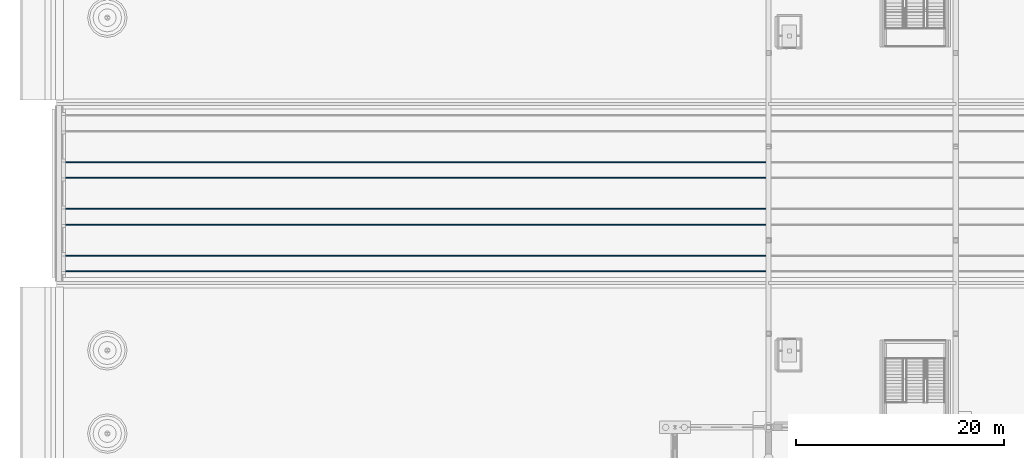
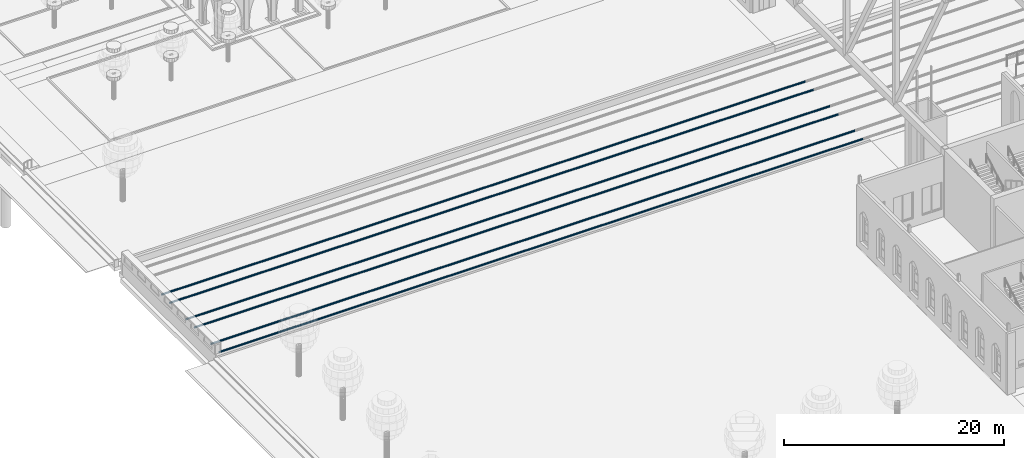
# One storey, part 37 of 250: 6 members.
"""IFC4 building model written with IfcOpenShell, lengths in metres."""

import ifcopenshell
import ifcopenshell.guid

model = None  # the IFC model being written
_history = None  # IfcOwnerHistory: only IFC2X3 demands one
_inside = {}  # id of a spatial element -> (the spatial element, [elements in it])
_under = {}  # id of a project, library or spatial element -> (it, [spatial elements below it])
_declared = {}  # id of a project -> (the project, [libraries it declares])
_typed = {}  # id of a type object -> (the type object, [elements of that type])
_made_of = {}  # id of a material, layer set ... -> (it, [elements and type objects made of it])


def new_model(schema):
    """Start an empty IFC model of exactly this schema.

    Asked for "IFC4X3", IfcOpenShell would pick the latest addendum, in which some entities
    have other attributes; the version numbers below select the first issue.
    IFC2X3 requires an IfcOwnerHistory on every rooted entity: one is made here for all.
    """
    global model, _history
    if schema == "IFC4X3":
        model = ifcopenshell.file(schema_version=(4, 3, 0, 0))
    else:
        model = ifcopenshell.file(schema=schema)
    _inside.clear()
    _under.clear()
    _declared.clear()
    _typed.clear()
    _made_of.clear()
    _history = None
    if model.schema == "IFC2X3":
        org = make("IfcOrganization", Name="unknown")
        user = make(
            "IfcPersonAndOrganization",
            ThePerson=make("IfcPerson", FamilyName="unknown"),
            TheOrganization=org,
        )
        app = make(
            "IfcApplication",
            ApplicationDeveloper=org,
            Version="unknown",
            ApplicationFullName="unknown",
            ApplicationIdentifier="unknown",
        )
        _history = make(
            "IfcOwnerHistory",
            OwningUser=user,
            OwningApplication=app,
            ChangeAction="ADDED",
            CreationDate=0,
        )
    return model


def make(cls, **values):
    """One entity of the class cls with the attributes given. An attribute that is None is left unset."""
    return model.create_entity(
        cls, **{name: value for name, value in values.items() if value is not None}
    )


def rooted(cls, **values):
    """An entity with a GlobalId (a new one), such as an element, a storey or a relation."""
    return make(cls, GlobalId=ifcopenshell.guid.new(), OwnerHistory=_history, **values)


def si_unit(unit_type, name, prefix=None):
    """IfcSIUnit, for example si_unit("LENGTHUNIT", "METRE", prefix="MILLI")."""
    return make("IfcSIUnit", UnitType=unit_type, Prefix=prefix, Name=name)


def assignment(units):
    """IfcUnitAssignment: the units of a project."""
    return None if units is None else make("IfcUnitAssignment", Units=units)


def point(xyz):
    """IfcCartesianPoint."""
    return None if xyz is None else make("IfcCartesianPoint", Coordinates=xyz)


def direction(xyz):
    """IfcDirection."""
    return None if xyz is None else make("IfcDirection", DirectionRatios=xyz)


def frame(location, z_axis=None, x_axis=None):
    """IfcAxis2Placement3D, a coordinate frame: its origin and axes. An axis left out is left unset."""
    return make(
        "IfcAxis2Placement3D",
        Location=point(location),
        Axis=direction(z_axis),
        RefDirection=direction(x_axis),
    )


def origin():
    """The frame at (0, 0, 0) with its axes left unset."""
    return frame((0.0, 0.0, 0.0))


def place(relative_to, where):
    """IfcLocalPlacement: puts the frame where relative to a parent placement (None: the world)."""
    return make(
        "IfcLocalPlacement", PlacementRelTo=relative_to, RelativePlacement=where
    )


def context(
    kind, dimensions, precision=None, world=None, true_north=None, identifier=None
):
    """IfcGeometricRepresentationContext, for example the 3D "Model" context."""
    return make(
        "IfcGeometricRepresentationContext",
        ContextIdentifier=identifier,
        ContextType=kind,
        CoordinateSpaceDimension=dimensions,
        Precision=precision,
        WorldCoordinateSystem=world,
        TrueNorth=true_north,
    )


def subcontext(parent, identifier, kind, view, scale=None):
    """IfcGeometricRepresentationSubContext, for example "Body" below "Model"."""
    return make(
        "IfcGeometricRepresentationSubContext",
        ContextIdentifier=identifier,
        ContextType=kind,
        ParentContext=parent,
        TargetScale=scale,
        TargetView=view,
    )


def project(units=None, contexts=None):
    """IfcProject with its units and contexts."""
    return rooted(
        "IfcProject",
        Name="project",
        RepresentationContexts=contexts,
        UnitsInContext=assignment(units),
    )


def spatial(cls, under=None, at=None, **own):
    """A site, building, storey or space (cls), placed at a placement, below another one or the project."""
    s = rooted(cls, ObjectPlacement=at, **own)
    if under is not None:
        _under.setdefault(under.id(), (under, []))[1].append(s)
    return s


def polyline(points):
    """IfcPolyline through the points."""
    return make("IfcPolyline", Points=[point(p) for p in points])


def outline(outer, holes=None, kind="AREA"):
    """IfcArbitraryClosedProfileDef: a profile drawn as a closed curve; with holes, ...WithVoids."""
    if holes is None:
        return make("IfcArbitraryClosedProfileDef", ProfileType=kind, OuterCurve=outer)
    return make(
        "IfcArbitraryProfileDefWithVoids",
        ProfileType=kind,
        OuterCurve=outer,
        InnerCurves=holes,
    )


def extrude(swept, where, along, depth):
    """IfcExtrudedAreaSolid: the profile swept, set in the frame where, extruded along a direction by depth."""
    return make(
        "IfcExtrudedAreaSolid",
        SweptArea=swept,
        Position=where,
        ExtrudedDirection=direction(along),
        Depth=depth,
    )


def shape(context_of_items, identifier, shape_type, items):
    """IfcShapeRepresentation: the items that make up one representation, for example the "Body"."""
    return make(
        "IfcShapeRepresentation",
        ContextOfItems=context_of_items,
        RepresentationIdentifier=identifier,
        RepresentationType=shape_type,
        Items=items,
    )


def material(Name=None, Category=None):
    """IfcMaterial."""
    return make("IfcMaterial", Name=Name, Category=Category)


def material_profile(
    of_material, cross_section, Name=None, Category=None, Priority=None
):
    """IfcMaterialProfile: a cross section and its material."""
    return make(
        "IfcMaterialProfile",
        Name=Name,
        Material=of_material,
        Profile=cross_section,
        Priority=Priority,
        Category=Category,
    )


def profile_set(profiles, Name=None, composite=None):
    """IfcMaterialProfileSet."""
    return make(
        "IfcMaterialProfileSet",
        Name=Name,
        MaterialProfiles=profiles,
        CompositeProfile=composite,
    )


def made_of(thing, what):
    """Note that an element or type object is made of a material, layer set ...; save() writes the relation."""
    if what is not None:
        _made_of.setdefault(what.id(), (what, []))[1].append(thing)
    return thing


def type_object(cls, material=None, **own):
    """A type object (cls), such as IfcWallType, which elements share."""
    return made_of(rooted(cls, **own), material)


def element(
    cls,
    number,
    at=None,
    inside=None,
    cuts=None,
    type_object=None,
    material=None,
    context=None,
    identifier="Body",
    shape_type=None,
    held_by="IfcProductDefinitionShape",
    body=None,
    shapes=None,
    **own,
):
    """One element of the class cls, such as IfcWall. Its Tag is "e" and its number.

    at: its placement. inside: the storey or other place that contains it. cuts: it is an
    opening in that element (IfcRelVoidsElement). A single representation is given by context,
    identifier, shape_type and body (its items); several are given by shapes. held_by: the class
    of the entity that holds the representations. save() writes the other relations.
    """
    e = rooted(cls, Tag="e%d" % number, ObjectPlacement=at, **own)
    if body is not None:
        shapes = [shape(context, identifier, shape_type, body)]
    if shapes is not None:
        e.Representation = make(held_by, Representations=shapes)
    if inside is not None:
        _inside.setdefault(inside.id(), (inside, []))[1].append(e)
    if cuts is not None:
        rooted(
            "IfcRelVoidsElement", RelatingBuildingElement=cuts, RelatedOpeningElement=e
        )
    if type_object is not None:
        _typed.setdefault(type_object.id(), (type_object, []))[1].append(e)
    return made_of(e, material)


def aggregate(whole, parts):
    """IfcRelAggregates: a whole, such as a stair, and the parts it consists of."""
    return rooted("IfcRelAggregates", RelatingObject=whole, RelatedObjects=parts)


def save(model, path):
    """Write the relations noted so far, then the file.

    IfcRelAggregates (storeys below a building ...), IfcRelContainedInSpatialStructure (elements
    in a storey), IfcRelDefinesByType, IfcRelAssociatesMaterial and IfcRelDeclares: one each for
    every whole, place, type object, material and project.
    """
    for whole, parts in _under.values():
        aggregate(whole, parts)
    for where, things in _inside.values():
        rooted(
            "IfcRelContainedInSpatialStructure",
            RelatedElements=things,
            RelatingStructure=where,
        )
    for kind, things in _typed.values():
        rooted("IfcRelDefinesByType", RelatedObjects=things, RelatingType=kind)
    for what, things in _made_of.values():
        rooted("IfcRelAssociatesMaterial", RelatedObjects=things, RelatingMaterial=what)
    for by, libraries in _declared.values():
        rooted("IfcRelDeclares", RelatingContext=by, RelatedDefinitions=libraries)
    model.write(path)


model = new_model("IFC4")

# Units and contexts
model_context = context("Model", 3, precision=1e-05, world=origin(), true_north=direction((0.0, 1.0)))
body_context = subcontext(model_context, "Body", "Model", "MODEL_VIEW")
ifc_project = project(units=[si_unit("LENGTHUNIT", "METRE"), si_unit("AREAUNIT", "SQUARE_METRE"), si_unit("VOLUMEUNIT", "CUBIC_METRE"), si_unit("PLANEANGLEUNIT", "RADIAN"), si_unit("MASSUNIT", "GRAM", prefix="KILO")], contexts=[model_context])

# Site, building, storey
site_placement = place(None, origin())
site = spatial("IfcSite", under=ifc_project, at=site_placement, CompositionType="ELEMENT")
building_placement = place(site_placement, origin())
building = spatial("IfcBuilding", under=site, at=building_placement, Name="Baradari Gate Terminus", CompositionType="ELEMENT")
storey_placement = place(building_placement, origin())
storey = spatial("IfcBuildingStorey", under=building, at=storey_placement, Name="L00", CompositionType="ELEMENT", Elevation=0.0)

# Members
ifc_material = material(Name="Steel R260", Category="steel")
ifc_material_profile = material_profile(ifc_material, outline(polyline([(-0.074951171875, 0.0), (0.074951171875, 0.0), (0.074951171875, 0.010986328125), (0.0400390625, 0.01708984375), (0.00830078125, 0.028076171875), (0.00830078125, 0.092041015625), (0.02001953125, 0.10400390625), (0.035888671875, 0.1220703125), (0.035888671875, 0.159912109375), (0.030029296875, 0.172119140625), (-0.030029296875, 0.172119140625), (-0.035888671875, 0.159912109375), (-0.035888671875, 0.1220703125), (-0.02001953125, 0.10400390625), (-0.00830078125, 0.092041015625), (-0.00830078125, 0.028076171875), (-0.0400390625, 0.01708984375), (-0.074951171875, 0.010986328125), (-0.074951171875, 0.0)])), Name="UIC 60 (60E1)")
ifc_profile_set = profile_set([ifc_material_profile], Name="Steel R260")
member_type = type_object("IfcMemberType", Name="Rail UIC 60 RL1", PredefinedType="USERDEFINED", material=ifc_profile_set)
for number, where, z_axis, x_axis, name in (
    (1, (4.39990234375, 50.99658203125, -0.721923828125), (1.0, 0.0, 0.0), (0.0, 1.0, 0.0), "Rail T1a W"),
    (2, (4.39990234375, 52.50341796875, -0.721923828125), (1.0, 0.0, 0.0), (0.0, 1.0, 0.0), "Rail T1b W"),
    (3, (4.39990234375, 55.49658203125, -0.721923828125), (1.0, 0.0, 0.0), (0.0, 1.0, 0.0), "Rail T2a W"),
    (4, (4.39990234375, 57.00341796875, -0.721923828125), (1.0, 0.0, 0.0), (0.0, 1.0, 0.0), "Rail T2b W"),
    (5, (4.39990234375, 59.99658203125, -0.721923828125), (1.0, 0.0, 0.0), (0.0, 1.0, 0.0), "Rail T3a W"),
    (6, (4.39990234375, 61.50341796875, -0.721923828125), (1.0, 0.0, 0.0), (0.0, 1.0, 0.0), "Rail T3b W"),
):
    element("IfcMember", number, at=place(storey_placement, frame(where, z_axis=z_axis, x_axis=x_axis)), inside=storey, type_object=member_type, Name=name, ObjectType="RAIL", PredefinedType="USERDEFINED", context=body_context, shape_type="SweptSolid", body=[
        extrude(outline(polyline([(-0.074951171875, 0.0), (0.074951171875, 0.0), (0.074951171875, 0.010986328125), (0.0400390625, 0.01708984375), (0.00830078125, 0.028076171875), (0.00830078125, 0.092041015625), (0.02001953125, 0.10400390625), (0.035888671875, 0.1220703125), (0.035888671875, 0.159912109375), (0.030029296875, 0.172119140625), (-0.030029296875, 0.172119140625), (-0.035888671875, 0.159912109375), (-0.035888671875, 0.1220703125), (-0.02001953125, 0.10400390625), (-0.00830078125, 0.092041015625), (-0.00830078125, 0.028076171875), (-0.0400390625, 0.01708984375), (-0.074951171875, 0.010986328125), (-0.074951171875, 0.0)])), origin(), (0.0, 0.0, 1.0), 67.60009765625),
    ])

save(model, "model.ifc")
